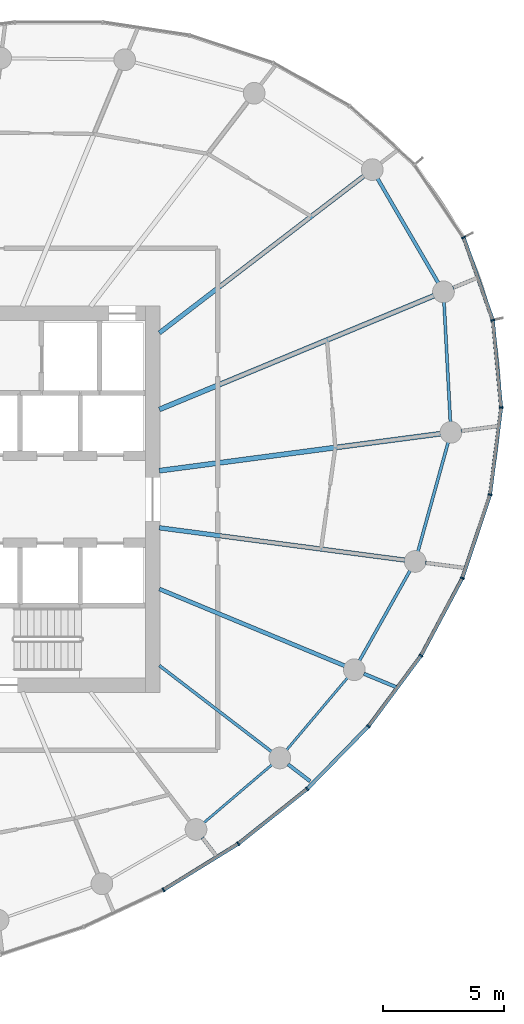
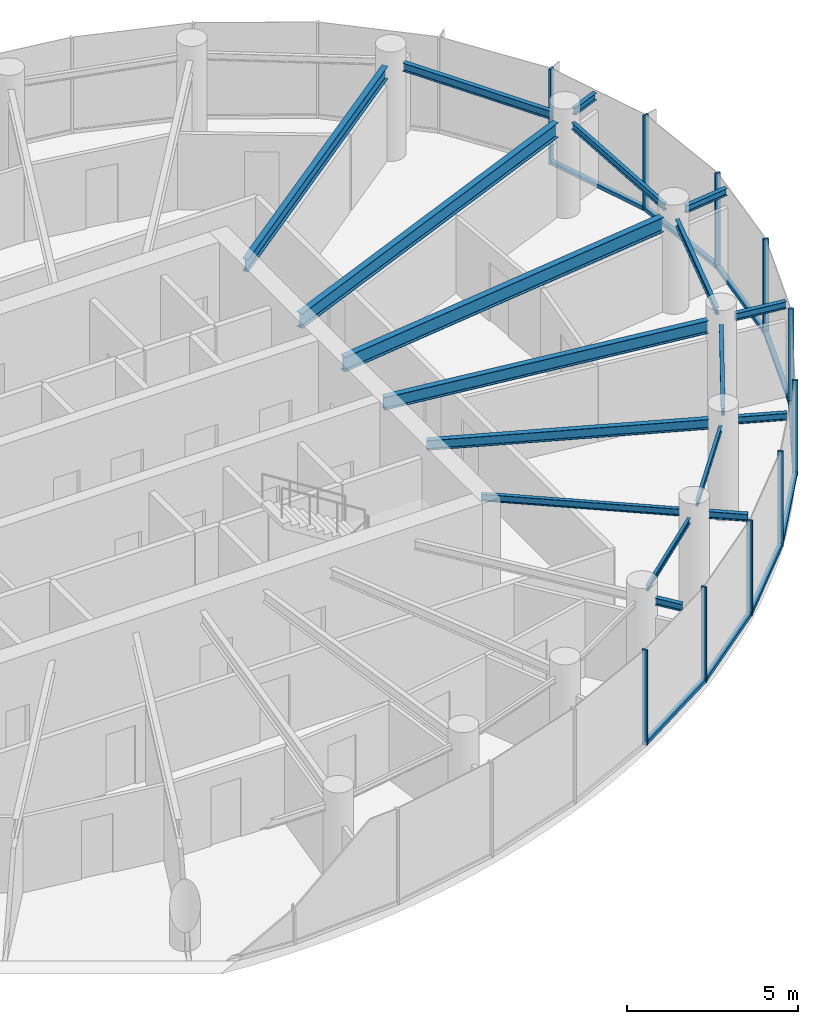
# One storey, part 5 of 14: 19 members, 18 beams, 3 elements without a shape of their own.
"""IFC4 building model written with IfcOpenShell, lengths in metres."""

from ifc_helpers import new_model, si_unit, direction, frame, origin, origin_2d, place, context, subcontext, project, spatial, rectangle, i_section, extrude, source, transform, mapped, material, layer, layer_set, material_profile, profile_set, type_object, element, aggregate, save


model = new_model("IFC4")

# Units and contexts
model_context = context("Model", 3, precision=1e-05, world=origin(), true_north=direction((0.0, 1.0)))
body_context = subcontext(model_context, "Body", "Model", "MODEL_VIEW")
ifc_project = project(units=[si_unit("LENGTHUNIT", "METRE"), si_unit("AREAUNIT", "SQUARE_METRE"), si_unit("VOLUMEUNIT", "CUBIC_METRE"), si_unit("PLANEANGLEUNIT", "RADIAN"), si_unit("MASSUNIT", "GRAM", prefix="KILO")], contexts=[model_context])

# Site, building, storey
site_placement = place(None, origin())
site = spatial("IfcSite", under=ifc_project, at=site_placement, CompositionType="ELEMENT")
building_placement = place(site_placement, origin())
building = spatial("IfcBuilding", under=site, at=building_placement, Name="Spindrift Exchange Tower", CompositionType="ELEMENT")
storey_placement = place(building_placement, frame((0.0, 0.0, 226.699951171875)))
storey = spatial("IfcBuildingStorey", under=building, at=storey_placement, Name="L55", CompositionType="ELEMENT", Elevation=226.699951171875)

# Beams
ifc_material_1 = material(Name="Steel Grade 300", Category="steel")
ifc_material_profile_1 = material_profile(ifc_material_1, i_section(OverallWidth=0.14599609375, OverallDepth=0.251953125, WebThickness=0.006103515625, FlangeThickness=0.008544921875, FilletRadius=0.011962890625, at=origin_2d()), Name="250UB31.4")
ifc_profile_set_1 = profile_set([ifc_material_profile_1], Name="Steel Grade 300")
beam_type_1 = type_object("IfcBeamType", Name="Cantilever Beam 250UB31.4 Steel Grade 300", PredefinedType="BEAM", material=ifc_profile_set_1)
shared_shape_1 = source(origin(), body_context, "Body", "SweptSolid", [
    extrude(i_section(OverallWidth=0.14599609375, OverallDepth=0.251953125, WebThickness=0.006103515625, FlangeThickness=0.008544921875, FilletRadius=0.011962890625, at=origin_2d()), origin(), (0.0, 0.0, 1.0), 0.845947265625),
])
beam_1_placement = place(storey_placement, frame((62.760986328125, 33.975830078125, 3.274169921875), z_axis=(0.60887368778, -0.793267188487, 0.0), x_axis=(0.793267188487, 0.60887368778, 0.0)))
element("IfcBeam", 1, at=beam_1_placement, inside=storey, type_object=beam_type_1, Name="L55 cantilever beam R21T", PredefinedType="BEAM", context=body_context, shape_type="MappedRepresentation", body=[
    mapped(shared_shape_1, transform((0.0, 0.0, 0.0), scale=1.0)),
])
ifc_material_profile_2 = material_profile(ifc_material_1, i_section(OverallWidth=0.208984375, OverallDepth=0.528076171875, WebThickness=0.009521484375, FlangeThickness=0.01318359375, FilletRadius=0.013916015625, at=origin_2d()), Name="530UB82.0")
ifc_profile_set_2 = profile_set([ifc_material_profile_2], Name="Steel Grade 300")
beam_type_2 = type_object("IfcBeamType", Name="Floor Beam 530UB82.0 Steel Grade 300", PredefinedType="BEAM", material=ifc_profile_set_2)
shared_shape_2 = source(origin(), body_context, "Body", "SweptSolid", [
    extrude(i_section(OverallWidth=0.208984375, OverallDepth=0.528076171875, WebThickness=0.009521484375, FlangeThickness=0.01318359375, FilletRadius=0.013916015625, at=origin_2d()), origin(), (0.0, 0.0, 1.0), 11.75634765625),
])
beam_2_placement = place(storey_placement, frame((60.980224609375, 49.182373046875, 3.135986328125), z_axis=(0.991445811455, 0.13051897543, 0.0), x_axis=(-0.13051897543, 0.991445811455, 0.0)))
element("IfcBeam", 2, at=beam_2_placement, inside=storey, type_object=beam_type_2, Name="L55 radial beam R01A", PredefinedType="BEAM", context=body_context, shape_type="MappedRepresentation", body=[
    mapped(shared_shape_2, transform((0.0, 0.0, 0.0), scale=1.0)),
])
shared_shape_3 = source(origin(), body_context, "Body", "SweptSolid", [
    extrude(i_section(OverallWidth=0.208984375, OverallDepth=0.528076171875, WebThickness=0.009521484375, FlangeThickness=0.01318359375, FilletRadius=0.013916015625, at=origin_2d()), origin(), (0.0, 0.0, 1.0), 12.3115234375),
])
beam_3_placement = place(storey_placement, frame((60.9814453125, 51.72021484375, 3.135986328125), z_axis=(0.923878099838, 0.382686891126, 0.0), x_axis=(-0.382686891126, 0.923878099838, 0.0)))
element("IfcBeam", 3, at=beam_3_placement, inside=storey, type_object=beam_type_2, Name="L55 radial beam R02A", PredefinedType="BEAM", context=body_context, shape_type="MappedRepresentation", body=[
    mapped(shared_shape_3, transform((0.0, 0.0, 0.0), scale=1.0)),
])
ifc_material_profile_3 = material_profile(ifc_material_1, i_section(OverallWidth=0.18994140625, OverallDepth=0.4541015625, WebThickness=0.008544921875, FlangeThickness=0.0126953125, FilletRadius=0.013916015625, at=origin_2d()), Name="460UB67.1")
ifc_profile_set_3 = profile_set([ifc_material_profile_3], Name="Steel Grade 300")
beam_type_3 = type_object("IfcBeamType", Name="Floor Beam 460UB67.1 Steel Grade 300", PredefinedType="BEAM", material=ifc_profile_set_3)
shared_shape_4 = source(origin(), body_context, "Body", "SweptSolid", [
    extrude(i_section(OverallWidth=0.18994140625, OverallDepth=0.4541015625, WebThickness=0.008544921875, FlangeThickness=0.0126953125, FilletRadius=0.013916015625, at=origin_2d()), origin(), (0.0, 0.0, 1.0), 10.684814453125),
])
beam_4_placement = place(storey_placement, frame((60.984130859375, 54.893798828125, 3.173095703125), z_axis=(0.793357316898, 0.608756246559, 0.0), x_axis=(-0.608756246559, 0.793357316898, 0.0)))
element("IfcBeam", 4, at=beam_4_placement, inside=storey, type_object=beam_type_3, Name="L55 radial beam R03A", PredefinedType="BEAM", context=body_context, shape_type="MappedRepresentation", body=[
    mapped(shared_shape_4, transform((0.0, 0.0, 0.0), scale=1.0)),
])
ifc_material_profile_4 = material_profile(ifc_material_1, i_section(OverallWidth=0.1240234375, OverallDepth=0.248046875, WebThickness=0.0048828125, FlangeThickness=0.008056640625, FilletRadius=0.011962890625, at=origin_2d()), Name="250UB25.7")
ifc_profile_set_4 = profile_set([ifc_material_profile_4], Name="Steel Grade 300")
beam_type_4 = type_object("IfcBeamType", Name="Floor Beam 250UB25.7 Steel Grade 300", PredefinedType="BEAM", material=ifc_profile_set_4)
shared_shape_5 = source(origin(), body_context, "Body", "SweptSolid", [
    extrude(i_section(OverallWidth=0.1240234375, OverallDepth=0.248046875, WebThickness=0.0048828125, FlangeThickness=0.008056640625, FilletRadius=0.011962890625, at=origin_2d()), origin(), (0.0, 0.0, 1.0), 5.855712890625),
])
beam_5_placement = place(storey_placement, frame((60.984130859375, 41.106201171875, 3.276123046875), z_axis=(0.793362708479, -0.608749219954, 0.0), x_axis=(0.608749219954, 0.793362708479, 0.0)))
element("IfcBeam", 5, at=beam_5_placement, inside=storey, type_object=beam_type_4, Name="L55 radial beam R22A", PredefinedType="BEAM", context=body_context, shape_type="MappedRepresentation", body=[
    mapped(shared_shape_5, transform((0.0, 0.0, 0.0), scale=1.0)),
])
ifc_material_profile_5 = material_profile(ifc_material_1, i_section(OverallWidth=0.1708984375, OverallDepth=0.35205078125, WebThickness=0.0068359375, FlangeThickness=0.009765625, FilletRadius=0.013916015625, at=origin_2d()), Name="360UB44.7")
ifc_profile_set_5 = profile_set([ifc_material_profile_5], Name="Steel Grade 300")
beam_type_5 = type_object("IfcBeamType", Name="Floor Beam 360UB44.7 Steel Grade 300", PredefinedType="BEAM", material=ifc_profile_set_5)
shared_shape_6 = source(origin(), body_context, "Body", "SweptSolid", [
    extrude(i_section(OverallWidth=0.1708984375, OverallDepth=0.35205078125, WebThickness=0.0068359375, FlangeThickness=0.009765625, FilletRadius=0.013916015625, at=origin_2d()), origin(), (0.0, 0.0, 1.0), 8.3134765625),
])
beam_6_placement = place(storey_placement, frame((60.9814453125, 44.27978515625, 3.22412109375), z_axis=(0.923881179957, -0.382679455055, 0.0), x_axis=(0.382679455055, 0.923881179957, 0.0)))
element("IfcBeam", 6, at=beam_6_placement, inside=storey, type_object=beam_type_5, Name="L55 radial beam R23A", PredefinedType="BEAM", context=body_context, shape_type="MappedRepresentation", body=[
    mapped(shared_shape_6, transform((0.0, 0.0, 0.0), scale=1.0)),
])
shared_shape_7 = source(origin(), body_context, "Body", "SweptSolid", [
    extrude(i_section(OverallWidth=0.18994140625, OverallDepth=0.4541015625, WebThickness=0.008544921875, FlangeThickness=0.0126953125, FilletRadius=0.013916015625, at=origin_2d()), origin(), (0.0, 0.0, 1.0), 10.262451171875),
])
beam_7_placement = place(storey_placement, frame((60.980224609375, 46.817626953125, 3.173095703125), z_axis=(0.991446763371, -0.130511744304, 0.0), x_axis=(0.130511744304, 0.991446763371, 0.0)))
element("IfcBeam", 7, at=beam_7_placement, inside=storey, type_object=beam_type_3, Name="L55 radial beam R24A", PredefinedType="BEAM", context=body_context, shape_type="MappedRepresentation", body=[
    mapped(shared_shape_7, transform((0.0, 0.0, 0.0), scale=1.0)),
])
ifc_material_profile_6 = material_profile(ifc_material_1, i_section(OverallWidth=0.1240234375, OverallDepth=0.248046875, WebThickness=0.0048828125, FlangeThickness=0.008056640625, FilletRadius=0.011962890625, at=origin_2d()), Name="250UB25.7")
ifc_profile_set_6 = profile_set([ifc_material_profile_6], Name="Steel Grade 300")
beam_type_6 = type_object("IfcBeamType", Name="Edge Beam 250UB25.7 Steel Grade 300", PredefinedType="SPANDREL", material=ifc_profile_set_6)
shared_shape_8 = source(origin(), body_context, "Body", "SweptSolid", [
    extrude(i_section(OverallWidth=0.1240234375, OverallDepth=0.248046875, WebThickness=0.0048828125, FlangeThickness=0.008056640625, FilletRadius=0.011962890625, at=origin_2d()), origin(), (0.0, 0.0, 1.0), 4.971435546875),
])
beam_8_placement = place(storey_placement, frame((73.03955078125, 51.202392578125, 3.276123046875), z_axis=(-0.053038255124, 0.998592481192, 0.0), x_axis=(-0.998592481192, -0.053038255124, 0.0)))
element("IfcBeam", 8, at=beam_8_placement, inside=storey, type_object=beam_type_6, Name="L55 edge beam E01", PredefinedType="SPANDREL", context=body_context, shape_type="MappedRepresentation", body=[
    mapped(shared_shape_8, transform((0.0, 0.0, 0.0), scale=1.0)),
])
ifc_material_profile_7 = material_profile(ifc_material_1, i_section(OverallWidth=0.14892578125, OverallDepth=0.298095703125, WebThickness=0.005615234375, FlangeThickness=0.008056640625, FilletRadius=0.012939453125, at=origin_2d()), Name="310UB32.0")
ifc_profile_set_7 = profile_set([ifc_material_profile_7], Name="Steel Grade 300")
beam_type_7 = type_object("IfcBeamType", Name="Edge Beam 310UB32.0 Steel Grade 300", PredefinedType="SPANDREL", material=ifc_profile_set_7)
shared_shape_9 = source(origin(), body_context, "Body", "SweptSolid", [
    extrude(i_section(OverallWidth=0.14892578125, OverallDepth=0.298095703125, WebThickness=0.005615234375, FlangeThickness=0.008056640625, FilletRadius=0.012939453125, at=origin_2d()), origin(), (0.0, 0.0, 1.0), 5.0009765625),
])
beam_9_placement = place(storey_placement, frame((72.53662109375, 56.9677734375, 3.2509765625), z_axis=(-0.503512812094, 0.863987759205, 0.0), x_axis=(-0.863987759205, -0.503512812094, 0.0)))
element("IfcBeam", 9, at=beam_9_placement, inside=storey, type_object=beam_type_7, Name="L55 edge beam E02", PredefinedType="SPANDREL", context=body_context, shape_type="MappedRepresentation", body=[
    mapped(shared_shape_9, transform((0.0, 0.0, 0.0), scale=1.0)),
])
ifc_material_profile_8 = material_profile(ifc_material_1, i_section(OverallWidth=0.09912109375, OverallDepth=0.197998046875, WebThickness=0.00439453125, FlangeThickness=0.007080078125, FilletRadius=0.010986328125, at=origin_2d()), Name="200UB18.2")
ifc_profile_set_8 = profile_set([ifc_material_profile_8], Name="Steel Grade 300")
beam_type_8 = type_object("IfcBeamType", Name="Edge Beam 200UB18.2 Steel Grade 300", PredefinedType="SPANDREL", material=ifc_profile_set_8)
shared_shape_10 = source(origin(), body_context, "Body", "SweptSolid", [
    extrude(i_section(OverallWidth=0.09912109375, OverallDepth=0.197998046875, WebThickness=0.00439453125, FlangeThickness=0.007080078125, FilletRadius=0.010986328125, at=origin_2d()), origin(), (0.0, 0.0, 1.0), 3.703857421875),
])
beam_10_placement = place(storey_placement, frame((62.826416015625, 34.59619140625, 3.301025390625), z_axis=(0.7606692863, 0.64913961278, 0.0), x_axis=(-0.64913961278, 0.7606692863, 0.0)))
element("IfcBeam", 10, at=beam_10_placement, inside=storey, type_object=beam_type_8, Name="L55 edge beam E21", PredefinedType="SPANDREL", context=body_context, shape_type="MappedRepresentation", body=[
    mapped(shared_shape_10, transform((0.0, 0.0, 0.0), scale=1.0)),
])
shared_shape_11 = source(origin(), body_context, "Body", "SweptSolid", [
    extrude(i_section(OverallWidth=0.09912109375, OverallDepth=0.197998046875, WebThickness=0.00439453125, FlangeThickness=0.007080078125, FilletRadius=0.010986328125, at=origin_2d()), origin(), (0.0, 0.0, 1.0), 3.92431640625),
])
beam_11_placement = place(storey_placement, frame((66.24853515625, 37.608154296875, 3.301025390625), z_axis=(0.645498720032, 0.763761351757, 0.0), x_axis=(-0.763761351757, 0.645498720032, 0.0)))
element("IfcBeam", 11, at=beam_11_placement, inside=storey, type_object=beam_type_8, Name="L55 edge beam E22", PredefinedType="SPANDREL", context=body_context, shape_type="MappedRepresentation", body=[
    mapped(shared_shape_11, transform((0.0, 0.0, 0.0), scale=1.0)),
])
shared_shape_12 = source(origin(), body_context, "Body", "SweptSolid", [
    extrude(i_section(OverallWidth=0.1240234375, OverallDepth=0.248046875, WebThickness=0.0048828125, FlangeThickness=0.008056640625, FilletRadius=0.011962890625, at=origin_2d()), origin(), (0.0, 0.0, 1.0), 4.2880859375),
])
beam_12_placement = place(storey_placement, frame((69.27001953125, 41.30859375, 3.276123046875), z_axis=(0.489804347673, 0.871832381253, 0.0), x_axis=(-0.871832381253, 0.489804347673, 0.0)))
element("IfcBeam", 12, at=beam_12_placement, inside=storey, type_object=beam_type_6, Name="L55 edge beam E23", PredefinedType="SPANDREL", context=body_context, shape_type="MappedRepresentation", body=[
    mapped(shared_shape_12, transform((0.0, 0.0, 0.0), scale=1.0)),
])
shared_shape_13 = source(origin(), body_context, "Body", "SweptSolid", [
    extrude(i_section(OverallWidth=0.1240234375, OverallDepth=0.248046875, WebThickness=0.0048828125, FlangeThickness=0.008056640625, FilletRadius=0.011962890625, at=origin_2d()), origin(), (0.0, 0.0, 1.0), 4.69189453125),
])
beam_13_placement = place(storey_placement, frame((71.69580078125, 45.83642578125, 3.276123046875), z_axis=(0.266774248618, 0.963759046792, 0.0), x_axis=(-0.963759046792, 0.266774248618, 0.0)))
element("IfcBeam", 13, at=beam_13_placement, inside=storey, type_object=beam_type_6, Name="L55 edge beam E24", PredefinedType="SPANDREL", context=body_context, shape_type="MappedRepresentation", body=[
    mapped(shared_shape_13, transform((0.0, 0.0, 0.0), scale=1.0)),
])
shared_shape_14 = source(origin(), body_context, "Body", "SweptSolid", [
    extrude(i_section(OverallWidth=0.14599609375, OverallDepth=0.251953125, WebThickness=0.006103515625, FlangeThickness=0.008544921875, FilletRadius=0.011962890625, at=origin_2d()), origin(), (0.0, 0.0, 1.0), 1.505126953125),
])
beam_14_placement = place(storey_placement, frame((73.488525390625, 50.8291015625, 3.274169921875), z_axis=(0.991458711995, 0.130420943136, 0.0), x_axis=(-0.130420943136, 0.991458711995, 0.0)))
element("IfcBeam", 14, at=beam_14_placement, inside=storey, type_object=beam_type_1, Name="L55 cantilever beam R01T", PredefinedType="BEAM", context=body_context, shape_type="MappedRepresentation", body=[
    mapped(shared_shape_14, transform((0.0, 0.0, 0.0), scale=1.0)),
])
shared_shape_15 = source(origin(), body_context, "Body", "SweptSolid", [
    extrude(i_section(OverallWidth=0.14599609375, OverallDepth=0.251953125, WebThickness=0.006103515625, FlangeThickness=0.008544921875, FilletRadius=0.011962890625, at=origin_2d()), origin(), (0.0, 0.0, 1.0), 1.014892578125),
])
beam_15_placement = place(storey_placement, frame((73.150390625, 56.7607421875, 3.274169921875), z_axis=(0.923879047191, 0.38268460403, 0.0), x_axis=(-0.38268460403, 0.923879047191, 0.0)))
element("IfcBeam", 15, at=beam_15_placement, inside=storey, type_object=beam_type_1, Name="L55 cantilever beam R02T", PredefinedType="BEAM", context=body_context, shape_type="MappedRepresentation", body=[
    mapped(shared_shape_15, transform((0.0, 0.0, 0.0), scale=1.0)),
])
shared_shape_16 = source(origin(), body_context, "Body", "SweptSolid", [
    extrude(i_section(OverallWidth=0.14599609375, OverallDepth=0.251953125, WebThickness=0.006103515625, FlangeThickness=0.008544921875, FilletRadius=0.011962890625, at=origin_2d()), origin(), (0.0, 0.0, 1.0), 1.15576171875),
])
beam_16_placement = place(storey_placement, frame((66.31201171875, 37.017822265625, 3.274169921875), z_axis=(0.793463533488, -0.608617795521, 0.0), x_axis=(0.608617795521, 0.793463533488, 0.0)))
element("IfcBeam", 16, at=beam_16_placement, inside=storey, type_object=beam_type_1, Name="L55 cantilever beam R22T", PredefinedType="BEAM", context=body_context, shape_type="MappedRepresentation", body=[
    mapped(shared_shape_16, transform((0.0, 0.0, 0.0), scale=1.0)),
])
shared_shape_17 = source(origin(), body_context, "Body", "SweptSolid", [
    extrude(i_section(OverallWidth=0.14599609375, OverallDepth=0.251953125, WebThickness=0.006103515625, FlangeThickness=0.008544921875, FilletRadius=0.011962890625, at=origin_2d()), origin(), (0.0, 0.0, 1.0), 1.442138671875),
])
beam_17_placement = place(storey_placement, frame((69.456787109375, 40.769287109375, 3.274169921875), z_axis=(0.923841425001, -0.382775419081, 0.0), x_axis=(0.382775419081, 0.923841425001, 0.0)))
element("IfcBeam", 17, at=beam_17_placement, inside=storey, type_object=beam_type_1, Name="L55 cantilever beam R23T", PredefinedType="BEAM", context=body_context, shape_type="MappedRepresentation", body=[
    mapped(shared_shape_17, transform((0.0, 0.0, 0.0), scale=1.0)),
])
shared_shape_18 = source(origin(), body_context, "Body", "SweptSolid", [
    extrude(i_section(OverallWidth=0.14599609375, OverallDepth=0.251953125, WebThickness=0.006103515625, FlangeThickness=0.008544921875, FilletRadius=0.011962890625, at=origin_2d()), origin(), (0.0, 0.0, 1.0), 1.611572265625),
])
beam_18_placement = place(storey_placement, frame((72.00732421875, 45.365966796875, 3.274169921875), z_axis=(0.991435721486, -0.130595597787, 0.0), x_axis=(0.130595597787, 0.991435721486, 0.0)))
element("IfcBeam", 18, at=beam_18_placement, inside=storey, type_object=beam_type_1, Name="L55 cantilever beam R24T", PredefinedType="BEAM", context=body_context, shape_type="MappedRepresentation", body=[
    mapped(shared_shape_18, transform((0.0, 0.0, 0.0), scale=1.0)),
])

# Curtain wall, members
ifc_material_2 = material(Name="Fritted laminated glass with bronze frame", Category="glass")
ifc_layer = layer(ifc_material_2, 0.169921875)
ifc_layer_set = layer_set([ifc_layer], Name="ZONE 4 BRONZE FRITTED WALL")
curtain_wall_type = type_object("IfcCurtainWallType", Name="ZONE 4 BRONZE FRITTED WALL", PredefinedType="NOTDEFINED", material=ifc_layer_set)
curtain_wall_1_placement = place(storey_placement, origin())
curtain_wall_1 = element("IfcCurtainWall", 19, at=curtain_wall_1_placement, inside=storey, type_object=curtain_wall_type, Name="L55 Zone 4 Bronze Fritted Wall run 5", PredefinedType="NOTDEFINED")
ifc_material_3 = material(Name="Bronze anodised aluminium", Category="aluminium")
ifc_material_profile_9 = material_profile(ifc_material_3, rectangle(XDim=0.14990234375, YDim=0.125, at=origin_2d()), Name="ZONE 4 BRONZE FRITTED WALL TRANSOM 150X125")
ifc_profile_set_9 = profile_set([ifc_material_profile_9], Name="Bronze anodised aluminium")
member_type_1 = type_object("IfcMemberType", Name="ZONE 4 BRONZE FRITTED WALL TRANSOM 150X125", PredefinedType="USERDEFINED", material=ifc_profile_set_9)
shared_shape_19 = source(origin(), body_context, "Body", "SweptSolid", [
    extrude(rectangle(XDim=0.14990234375, YDim=0.125, at=origin_2d()), origin(), (0.0, 0.0, 1.0), 3.57763671875),
])
member_1_placement = place(storey_placement, frame((64.277099609375, 33.747314453125, 0.0625), z_axis=(0.782669809735, 0.622437120463, 0.0), x_axis=(-0.622437120463, 0.782669809735, 0.0)))
member_1 = element("IfcMember", 20, at=member_1_placement, type_object=member_type_1, Name="L55 transom CW-4.30", ObjectType="TRANSOM", PredefinedType="USERDEFINED", context=body_context, shape_type="MappedRepresentation", body=[
    mapped(shared_shape_19, transform((0.0, 0.0, 0.0), scale=1.0)),
])
shared_shape_20 = source(origin(), body_context, "Body", "SweptSolid", [
    extrude(rectangle(XDim=0.14990234375, YDim=0.125, at=origin_2d()), origin(), (0.0, 0.0, 1.0), 3.577880859375),
])
member_2_placement = place(storey_placement, frame((61.179443359375, 31.8310546875, 0.0625), z_axis=(0.850971126175, 0.525212473592, 0.0), x_axis=(-0.525212473592, 0.850971126175, 0.0)))
member_2 = element("IfcMember", 21, at=member_2_placement, type_object=member_type_1, Name="L55 transom CW-4.29", ObjectType="TRANSOM", PredefinedType="USERDEFINED", context=body_context, shape_type="MappedRepresentation", body=[
    mapped(shared_shape_20, transform((0.0, 0.0, 0.0), scale=1.0)),
])

curtain_wall_2_placement = place(storey_placement, origin())
curtain_wall_2 = element("IfcCurtainWall", 22, at=curtain_wall_2_placement, inside=storey, type_object=curtain_wall_type, Name="L55 Zone 4 Bronze Fritted Wall run 6", PredefinedType="NOTDEFINED")
shared_shape_21 = source(origin(), body_context, "Body", "SweptSolid", [
    extrude(rectangle(XDim=0.14990234375, YDim=0.125, at=origin_2d()), origin(), (0.0, 0.0, 1.0), 3.577392578125),
])
member_3_placement = place(storey_placement, frame((67.12548828125, 36.017578125, 0.0625), z_axis=(0.69904242149, 0.715080200368, 0.0), x_axis=(-0.715080200368, 0.69904242149, 0.0)))
member_3 = element("IfcMember", 23, at=member_3_placement, type_object=member_type_1, Name="L55 transom CW-4.31", ObjectType="TRANSOM", PredefinedType="USERDEFINED", context=body_context, shape_type="MappedRepresentation", body=[
    mapped(shared_shape_21, transform((0.0, 0.0, 0.0), scale=1.0)),
])
shared_shape_22 = source(origin(), body_context, "Body", "SweptSolid", [
    extrude(rectangle(XDim=0.14990234375, YDim=0.125, at=origin_2d()), origin(), (0.0, 0.0, 1.0), 3.576904296875),
])
member_4_placement = place(storey_placement, frame((69.66845703125, 38.625, 0.0625), z_axis=(0.596609223522, 0.802531889964, 0.0), x_axis=(-0.802531889964, 0.596609223522, 0.0)))
member_4 = element("IfcMember", 24, at=member_4_placement, type_object=member_type_1, Name="L55 transom CW-4.32", ObjectType="TRANSOM", PredefinedType="USERDEFINED", context=body_context, shape_type="MappedRepresentation", body=[
    mapped(shared_shape_22, transform((0.0, 0.0, 0.0), scale=1.0)),
])
shared_shape_23 = source(origin(), body_context, "Body", "SweptSolid", [
    extrude(rectangle(XDim=0.14990234375, YDim=0.125, at=origin_2d()), origin(), (0.0, 0.0, 1.0), 3.5703125),
])
member_5_placement = place(storey_placement, frame((74.78662109375, 55.44873046875, 0.0625), z_axis=(-0.332469562013, 0.943113985866, 0.0), x_axis=(-0.943113985866, -0.332469562013, 0.0)))
member_5 = element("IfcMember", 25, at=member_5_placement, type_object=member_type_1, Name="L55 transom CW-4.37", ObjectType="TRANSOM", PredefinedType="USERDEFINED", context=body_context, shape_type="MappedRepresentation", body=[
    mapped(shared_shape_23, transform((0.0, 0.0, 0.0), scale=1.0)),
])
shared_shape_24 = source(origin(), body_context, "Body", "SweptSolid", [
    extrude(rectangle(XDim=0.14990234375, YDim=0.125, at=origin_2d()), origin(), (0.0, 0.0, 1.0), 3.571533203125),
])
member_6_placement = place(storey_placement, frame((75.138671875, 51.830322265625, 0.0625), z_axis=(-0.094676829186, 0.995508060246, 0.0), x_axis=(-0.995508060246, -0.094676829186, 0.0)))
member_6 = element("IfcMember", 26, at=member_6_placement, type_object=member_type_1, Name="L55 transom CW-4.36", ObjectType="TRANSOM", PredefinedType="USERDEFINED", context=body_context, shape_type="MappedRepresentation", body=[
    mapped(shared_shape_24, transform((0.0, 0.0, 0.0), scale=1.0)),
])
shared_shape_25 = source(origin(), body_context, "Body", "SweptSolid", [
    extrude(rectangle(XDim=0.14990234375, YDim=0.125, at=origin_2d()), origin(), (0.0, 0.0, 1.0), 3.5751953125),
])
member_7_placement = place(storey_placement, frame((73.54541015625, 44.76513671875, 0.0625), z_axis=(0.315223735228, 0.949017384851, 0.0), x_axis=(-0.949017384851, 0.315223735228, 0.0)))
member_7 = element("IfcMember", 27, at=member_7_placement, type_object=member_type_1, Name="L55 transom CW-4.34", ObjectType="TRANSOM", PredefinedType="USERDEFINED", context=body_context, shape_type="MappedRepresentation", body=[
    mapped(shared_shape_25, transform((0.0, 0.0, 0.0), scale=1.0)),
])
shared_shape_26 = source(origin(), body_context, "Body", "SweptSolid", [
    extrude(rectangle(XDim=0.14990234375, YDim=0.125, at=origin_2d()), origin(), (0.0, 0.0, 1.0), 3.573486328125),
])
member_8_placement = place(storey_placement, frame((74.6865234375, 48.220947265625, 0.0625), z_axis=(0.126254279674, 0.991997911724, 0.0), x_axis=(-0.991997911724, 0.126254279674, 0.0)))
member_8 = element("IfcMember", 28, at=member_8_placement, type_object=member_type_1, Name="L55 transom CW-4.35", ObjectType="TRANSOM", PredefinedType="USERDEFINED", context=body_context, shape_type="MappedRepresentation", body=[
    mapped(shared_shape_26, transform((0.0, 0.0, 0.0), scale=1.0)),
])
shared_shape_27 = source(origin(), body_context, "Body", "SweptSolid", [
    extrude(rectangle(XDim=0.14990234375, YDim=0.125, at=origin_2d()), origin(), (0.0, 0.0, 1.0), 3.575927734375),
])
member_9_placement = place(storey_placement, frame((71.837158203125, 41.55029296875, 0.0625), z_axis=(0.470598865848, 0.882347271466, 0.0), x_axis=(-0.882347271466, 0.470598865848, 0.0)))
member_9 = element("IfcMember", 29, at=member_9_placement, type_object=member_type_1, Name="L55 transom CW-4.33", ObjectType="TRANSOM", PredefinedType="USERDEFINED", context=body_context, shape_type="MappedRepresentation", body=[
    mapped(shared_shape_27, transform((0.0, 0.0, 0.0), scale=1.0)),
])

# Curtain wall, member
curtain_wall_3_placement = place(storey_placement, origin())
curtain_wall_3 = element("IfcCurtainWall", 30, at=curtain_wall_3_placement, inside=storey, type_object=curtain_wall_type, Name="L55 Zone 4 Bronze Fritted Wall run 1", PredefinedType="NOTDEFINED")
ifc_material_profile_10 = material_profile(ifc_material_3, rectangle(XDim=0.06494140625, YDim=0.169921875, at=origin_2d()), Name="ZONE 4 BRONZE FRITTED WALL MULLION 65X170")
ifc_profile_set_10 = profile_set([ifc_material_profile_10], Name="Bronze anodised aluminium")
member_type_2 = type_object("IfcMemberType", Name="ZONE 4 BRONZE FRITTED WALL MULLION 65X170", PredefinedType="MULLION", material=ifc_profile_set_10)
shared_shape_28 = source(origin(), body_context, "Body", "SweptSolid", [
    extrude(rectangle(XDim=0.06494140625, YDim=0.169921875, at=origin_2d()), origin(), (0.0, 0.0, 1.0), 3.400146484375),
])
member_10_placement = place(storey_placement, frame((73.5888671875, 58.8466796875, 0.0), z_axis=(0.0, 0.0, 1.0), x_axis=(-0.448931050337, 0.893566400467, 0.0)))
member_10 = element("IfcMember", 31, at=member_10_placement, type_object=member_type_2, Name="L55 mullion CW-4.1", PredefinedType="MULLION", context=body_context, shape_type="MappedRepresentation", body=[
    mapped(shared_shape_28, transform((0.0, 0.0, 0.0), scale=1.0)),
])
aggregate(curtain_wall_3, [member_10])

# Member
member_11_placement = place(storey_placement, frame((61.151611328125, 31.81396484375, 0.0), z_axis=(0.0, 0.0, 1.0), x_axis=(0.880092134053, 0.474802943944, 0.0)))
member_11 = element("IfcMember", 32, at=member_11_placement, type_object=member_type_2, Name="L55 mullion CW-4.29", PredefinedType="MULLION", context=body_context, shape_type="MappedRepresentation", body=[
    mapped(shared_shape_28, transform((0.0, 0.0, 0.0), scale=1.0)),
])

member_12_placement = place(storey_placement, frame((64.251708984375, 33.727294921875, 0.0), z_axis=(0.0, 0.0, 1.0), x_axis=(0.818279946453, 0.574819910261, 0.0)))
member_12 = element("IfcMember", 33, at=member_12_placement, type_object=member_type_2, Name="L55 mullion CW-4.30", PredefinedType="MULLION", context=body_context, shape_type="MappedRepresentation", body=[
    mapped(shared_shape_28, transform((0.0, 0.0, 0.0), scale=1.0)),
])

aggregate(curtain_wall_1, [member_11, member_2, member_12, member_1])

member_13_placement = place(storey_placement, frame((67.102783203125, 35.994384765625, 0.0), z_axis=(0.0, 0.0, 1.0), x_axis=(0.742325990133, 0.670038897657, 0.0)))
member_13 = element("IfcMember", 34, at=member_13_placement, type_object=member_type_2, Name="L55 mullion CW-4.31", PredefinedType="MULLION", context=body_context, shape_type="MappedRepresentation", body=[
    mapped(shared_shape_28, transform((0.0, 0.0, 0.0), scale=1.0)),
])

member_14_placement = place(storey_placement, frame((69.64892578125, 38.598876953125, 0.0), z_axis=(0.0, 0.0, 1.0), x_axis=(0.64932742614, 0.76050897014, 0.0)))
member_14 = element("IfcMember", 35, at=member_14_placement, type_object=member_type_2, Name="L55 mullion CW-4.32", PredefinedType="MULLION", context=body_context, shape_type="MappedRepresentation", body=[
    mapped(shared_shape_28, transform((0.0, 0.0, 0.0), scale=1.0)),
])

member_15_placement = place(storey_placement, frame((71.822021484375, 41.521484375, 0.0), z_axis=(0.0, 0.0, 1.0), x_axis=(0.535087833967, 0.844796431065, 0.0)))
member_15 = element("IfcMember", 36, at=member_15_placement, type_object=member_type_2, Name="L55 mullion CW-4.33", PredefinedType="MULLION", context=body_context, shape_type="MappedRepresentation", body=[
    mapped(shared_shape_28, transform((0.0, 0.0, 0.0), scale=1.0)),
])

member_16_placement = place(storey_placement, frame((73.53515625, 44.734375, 0.0), z_axis=(0.0, 0.0, 1.0), x_axis=(0.394288954247, 0.91898651816, 0.0)))
member_16 = element("IfcMember", 37, at=member_16_placement, type_object=member_type_2, Name="L55 mullion CW-4.34", PredefinedType="MULLION", context=body_context, shape_type="MappedRepresentation", body=[
    mapped(shared_shape_28, transform((0.0, 0.0, 0.0), scale=1.0)),
])

member_17_placement = place(storey_placement, frame((74.6826171875, 48.188720703125, 0.0), z_axis=(0.0, 0.0, 1.0), x_axis=(0.221747090912, 0.975104213749, 0.0)))
member_17 = element("IfcMember", 38, at=member_17_placement, type_object=member_type_2, Name="L55 mullion CW-4.35", PredefinedType="MULLION", context=body_context, shape_type="MappedRepresentation", body=[
    mapped(shared_shape_28, transform((0.0, 0.0, 0.0), scale=1.0)),
])

member_18_placement = place(storey_placement, frame((75.1416015625, 51.798095703125, 0.0), z_axis=(0.0, 0.0, 1.0), x_axis=(0.01587650562, 0.999873960342, 0.0)))
member_18 = element("IfcMember", 39, at=member_18_placement, type_object=member_type_2, Name="L55 mullion CW-4.36", PredefinedType="MULLION", context=body_context, shape_type="MappedRepresentation", body=[
    mapped(shared_shape_28, transform((0.0, 0.0, 0.0), scale=1.0)),
])

member_19_placement = place(storey_placement, frame((74.797607421875, 55.418212890625, 0.0), z_axis=(0.0, 0.0, 1.0), x_axis=(-0.215162287949, 0.976578307073, 0.0)))
member_19 = element("IfcMember", 40, at=member_19_placement, type_object=member_type_2, Name="L55 mullion CW-4.37", PredefinedType="MULLION", context=body_context, shape_type="MappedRepresentation", body=[
    mapped(shared_shape_28, transform((0.0, 0.0, 0.0), scale=1.0)),
])

aggregate(curtain_wall_2, [member_13, member_3, member_14, member_4, member_15, member_9, member_16, member_7, member_17, member_8, member_18, member_6, member_19, member_5])

save(model, "model.ifc")
